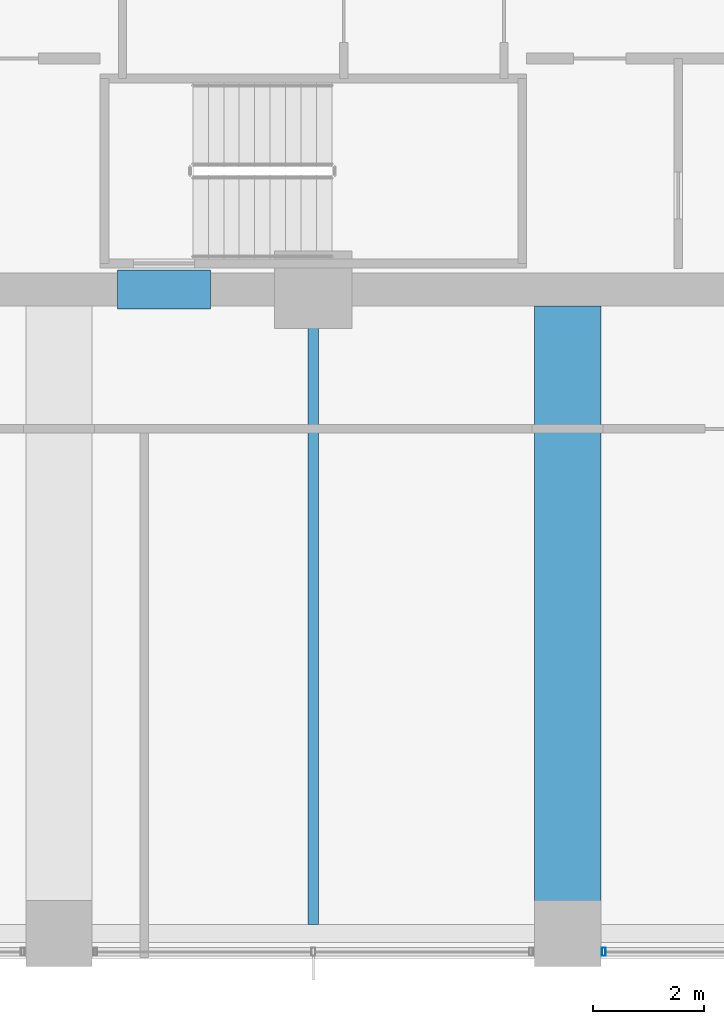
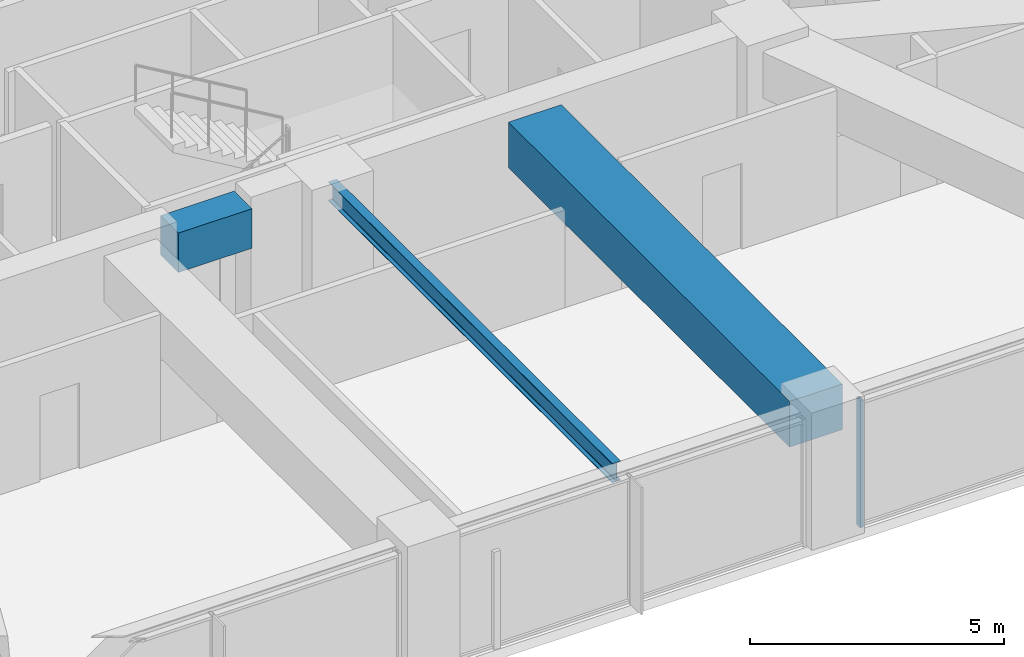
# One storey, part 6 of 39: 3 beams, 1 member, 1 element without a shape of its own.
"""IFC4 building model written with IfcOpenShell, lengths in metres."""

from ifc_helpers import new_model, si_unit, direction, frame, origin, origin_2d, place, context, subcontext, project, spatial, rectangle, hollow_rectangle, i_section, extrude, material, material_profile, profile_set, type_object, element, aggregate, save


model = new_model("IFC4")

# Units and contexts
model_context = context("Model", 3, precision=1e-05, world=origin(), true_north=direction((0.0, 1.0)))
body_context = subcontext(model_context, "Body", "Model", "MODEL_VIEW")
ifc_project = project(units=[si_unit("LENGTHUNIT", "METRE"), si_unit("AREAUNIT", "SQUARE_METRE"), si_unit("VOLUMEUNIT", "CUBIC_METRE"), si_unit("PLANEANGLEUNIT", "RADIAN"), si_unit("MASSUNIT", "GRAM", prefix="KILO")], contexts=[model_context])

# Site, building, storey
site_placement = place(None, origin())
site = spatial("IfcSite", under=ifc_project, at=site_placement, CompositionType="ELEMENT")
building_placement = place(site_placement, origin())
building = spatial("IfcBuilding", under=site, at=building_placement, Name="Kolvaren Belvedere", CompositionType="ELEMENT")
storey_placement = place(building_placement, frame((0.0, 0.0, 33.699951171875)))
storey = spatial("IfcBuildingStorey", under=building, at=storey_placement, Name="L09", CompositionType="ELEMENT", Elevation=33.699951171875)

# Beams
ifc_material_1 = material(Name="Structural steel ASTM A992 Grade 50", Category="steel")
ifc_material_profile_1 = material_profile(ifc_material_1, i_section(OverallWidth=0.19091796875, OverallDepth=0.4599609375, WebThickness=0.010009765625, FlangeThickness=0.01611328125, FilletRadius=0.014892578125, at=origin_2d()), Name="W18X55")
ifc_profile_set_1 = profile_set([ifc_material_profile_1], Name="Structural steel ASTM A992 Grade 50")
beam_type_1 = type_object("IfcBeamType", Name="BM-JOIST-W18X55", PredefinedType="BEAM", material=ifc_profile_set_1)
beam_1_placement = place(storey_placement, frame((0.0, -10.199951171875, 2.830078125), z_axis=(0.0, -1.0, 0.0), x_axis=(1.0, 0.0, 0.0)))
element("IfcBeam", 1, at=beam_1_placement, inside=storey, type_object=beam_type_1, Name="L09 South Centre Floor Beam", PredefinedType="BEAM", context=body_context, shape_type="SweptSolid", body=[
    extrude(i_section(OverallWidth=0.19091796875, OverallDepth=0.4599609375, WebThickness=0.010009765625, FlangeThickness=0.01611328125, FilletRadius=0.014892578125, at=origin_2d()), origin(), (0.0, 0.0, 1.0), 11.1875),
])
ifc_material_2 = material(Name="Concrete C60/75", Category="concrete")
ifc_material_profile_2 = material_profile(ifc_material_2, rectangle(XDim=0.699951171875, YDim=0.949951171875, at=origin_2d()), Name="RC 700X950")
ifc_profile_set_2 = profile_set([ifc_material_profile_2], Name="Concrete C60/75")
beam_type_2 = type_object("IfcBeamType", Name="BM-LINT-950", PredefinedType="LINTEL", material=ifc_profile_set_2)
beam_2_placement = place(storey_placement, frame((-3.5400390625, -9.89990234375, 2.5849609375), z_axis=(1.0, 0.0, 0.0), x_axis=(0.0, 1.0, 0.0)))
element("IfcBeam", 2, at=beam_2_placement, inside=storey, type_object=beam_type_2, Name="L09 South Core Coupling Lintel", PredefinedType="LINTEL", context=body_context, shape_type="SweptSolid", body=[
    extrude(rectangle(XDim=0.699951171875, YDim=0.949951171875, at=origin_2d()), origin(), (0.0, 0.0, 1.0), 1.679931640625),
])
ifc_material_3 = material(Name="Concrete C50/60", Category="concrete")
ifc_material_profile_3 = material_profile(ifc_material_3, rectangle(XDim=1.199951171875, YDim=1.10009765625, at=origin_2d()), Name="RC 1200X1100")
ifc_profile_set_3 = profile_set([ifc_material_profile_3], Name="Concrete C50/60")
beam_type_3 = type_object("IfcBeamType", Name="BM-TG-1100", PredefinedType="BEAM", material=ifc_profile_set_3)
beam_3_placement = place(storey_placement, frame((4.60009765625, -10.199951171875, 2.510009765625), z_axis=(0.0, -1.0, 0.0), x_axis=(1.0, 0.0, 0.0)))
element("IfcBeam", 3, at=beam_3_placement, inside=storey, type_object=beam_type_3, Name="L09 South Radial Girder P", PredefinedType="BEAM", context=body_context, shape_type="SweptSolid", body=[
    extrude(rectangle(XDim=1.199951171875, YDim=1.10009765625, at=origin_2d()), origin(), (0.0, 0.0, 1.0), 11.080078125),
])

# Curtain wall, member
ifc_material_4 = material(Name="Anodised pale-metal aluminium AA 6063-T6", Category="aluminium")
curtain_wall_type = type_object("IfcCurtainWallType", Name="CW-Z1-LOW", PredefinedType="NOTDEFINED", material=ifc_material_4)
curtain_wall_placement = place(storey_placement, origin())
curtain_wall = element("IfcCurtainWall", 4, at=curtain_wall_placement, inside=storey, type_object=curtain_wall_type, Name="L09 Unitised Curtain Wall FCW-L09-S-B1", PredefinedType="NOTDEFINED")
ifc_material_5 = material(Name="Anodised pale-metal aluminium AA 6063-T6", Category="aluminium")
ifc_material_profile_4 = material_profile(ifc_material_5, hollow_rectangle(XDim=0.070068359375, YDim=0.14990234375, WallThickness=0.004150390625, at=origin_2d()), Name="ALU-MUL-150X70")
ifc_profile_set_4 = profile_set([ifc_material_profile_4], Name="Anodised pale-metal aluminium AA 6063-T6")
member_type = type_object("IfcMemberType", Name="CW-MUL-150", PredefinedType="MULLION", material=ifc_profile_set_4)
member_placement = place(storey_placement, frame((5.2548828125, -21.8798828125, 0.0), z_axis=(0.0, 0.0, 1.0), x_axis=(1.0, 0.0, 0.0)))
member = element("IfcMember", 5, at=member_placement, type_object=member_type, Name="FCW-L09-S-B1 Unitised Mullion 3", PredefinedType="MULLION", context=body_context, shape_type="SweptSolid", body=[
    extrude(hollow_rectangle(XDim=0.070068359375, YDim=0.14990234375, WallThickness=0.004150390625, at=origin_2d()), origin(), (0.0, 0.0, 1.0), 3.06005859375),
])
aggregate(curtain_wall, [member])

save(model, "model.ifc")
